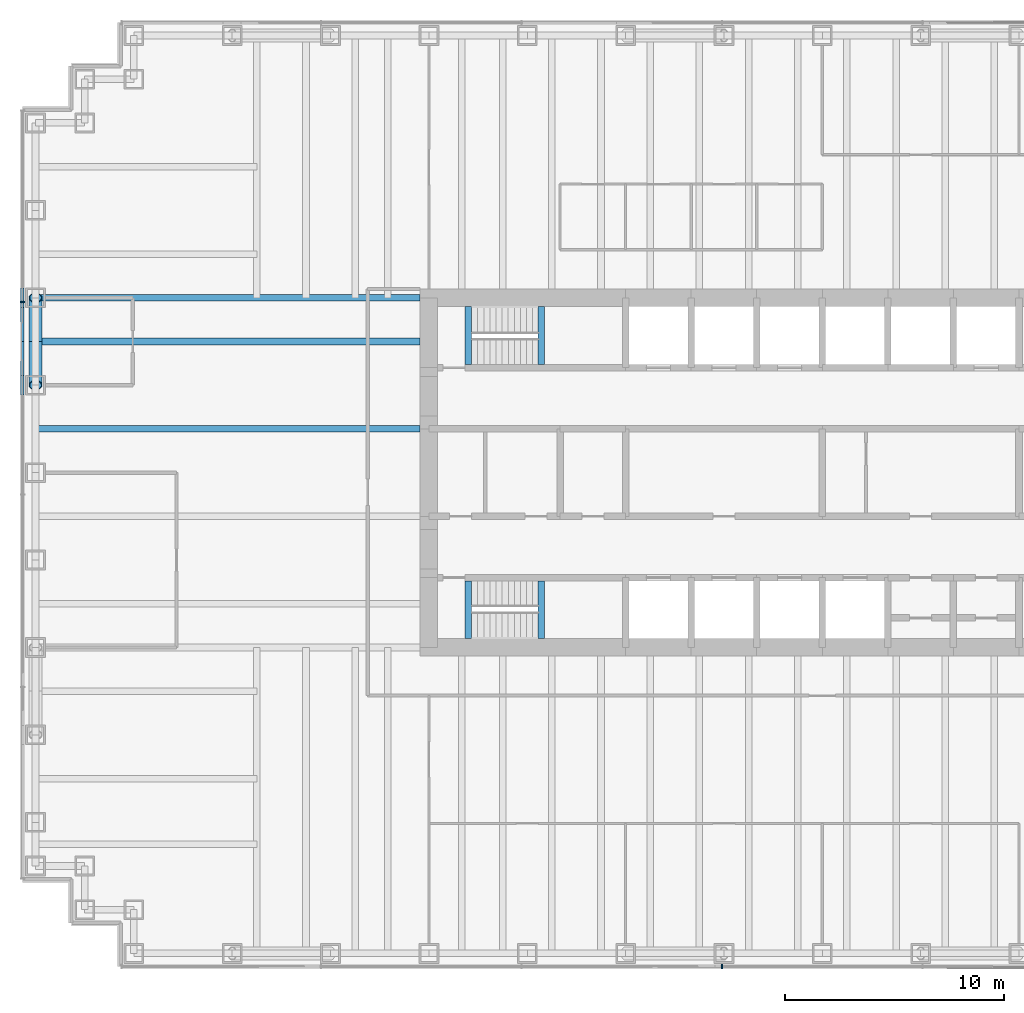
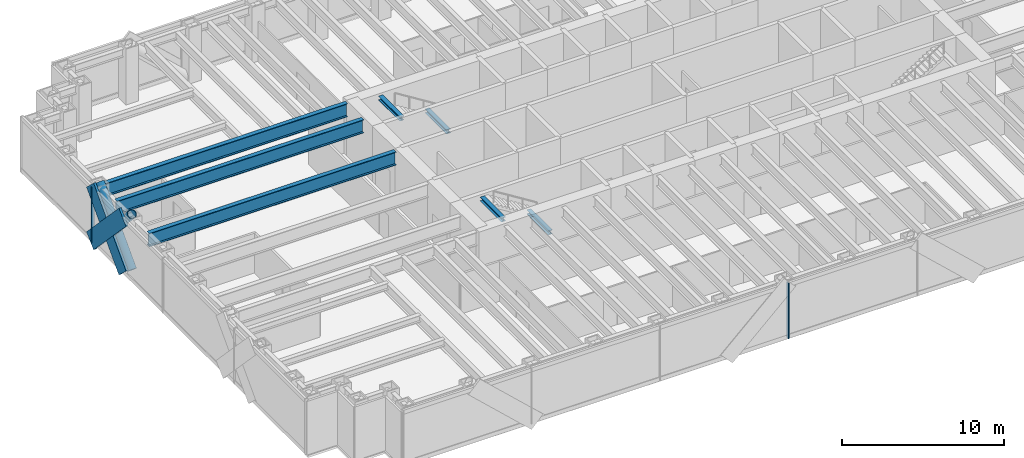
# One storey, part 3 of 19: 7 beams, 6 members, 2 elements without a shape of their own.
"""IFC4 building model written with IfcOpenShell, lengths in metres."""

from ifc_helpers import new_model, si_unit, direction, frame, origin, origin_2d, place, context, subcontext, project, spatial, rectangle, hollow_circle, i_section, extrude, material, material_profile, profile_set, type_object, element, aggregate, save


model = new_model("IFC4")

# Units and contexts
model_context = context("Model", 3, precision=1e-05, world=origin(), true_north=direction((0.0, 1.0)))
body_context = subcontext(model_context, "Body", "Model", "MODEL_VIEW")
ifc_project = project(units=[si_unit("LENGTHUNIT", "METRE"), si_unit("AREAUNIT", "SQUARE_METRE"), si_unit("VOLUMEUNIT", "CUBIC_METRE"), si_unit("PLANEANGLEUNIT", "RADIAN"), si_unit("MASSUNIT", "GRAM", prefix="KILO")], contexts=[model_context])

# Site, building, storey
site_placement = place(None, origin())
site = spatial("IfcSite", under=ifc_project, at=site_placement, CompositionType="ELEMENT")
building_placement = place(site_placement, origin())
building = spatial("IfcBuilding", under=site, at=building_placement, Name="Rheinbord Bourse Tower", CompositionType="ELEMENT")
storey_placement = place(building_placement, frame((0.0, 0.0, 206.800048828125)))
storey = spatial("IfcBuildingStorey", under=building, at=storey_placement, Name="L46", CompositionType="ELEMENT", Elevation=206.800048828125)

# Curtain wall, members
ifc_material_1 = material(Name="Dark glass and black aluminium", Category="aluminium")
curtain_wall_type = type_object("IfcCurtainWallType", Name="CW2 DARK GLASS CURTAIN WALL", PredefinedType="USERDEFINED", material=ifc_material_1)
curtain_wall_1_placement = place(storey_placement, origin())
curtain_wall_1 = element("IfcCurtainWall", 1, at=curtain_wall_1_placement, inside=storey, type_object=curtain_wall_type, Name="Curtain wall CW2 W L46", ObjectType="UNITISED CURTAIN WALL", PredefinedType="USERDEFINED")
ifc_material_2 = material(Name="Black anodised aluminium", Category="aluminium")
ifc_material_profile_1 = material_profile(ifc_material_2, rectangle(XDim=0.159912109375, YDim=1.2099609375, at=origin_2d()), Name="CW2 DIAGONAL MULLION 1210x160")
ifc_profile_set_1 = profile_set([ifc_material_profile_1], Name="Black anodised aluminium")
member_type_1 = type_object("IfcMemberType", Name="CW2 BLACK DIAGONAL MULLION", PredefinedType="USERDEFINED", material=ifc_profile_set_1)
member_1_placement = place(storey_placement, frame((-0.60009765625, 32.0, 0.0), z_axis=(0.0, -0.689659376744, 0.724133926887), x_axis=(1.0, 0.0, 0.0)))
member_1 = element("IfcMember", 2, at=member_1_placement, type_object=member_type_1, Name="CW2 diagonal mullion a", ObjectType="DIAGONAL MULLION", PredefinedType="USERDEFINED", context=body_context, shape_type="SweptSolid", body=[
    extrude(rectangle(XDim=0.159912109375, YDim=1.2099609375, at=origin_2d()), origin(), (0.0, 0.0, 1.0), 5.800048828125),
])
member_2_placement = place(storey_placement, frame((-0.60009765625, 28.0, 0.0), z_axis=(0.0, 0.689659376744, 0.724133926887), x_axis=(-1.0, 0.0, 0.0)))
member_2 = element("IfcMember", 3, at=member_2_placement, type_object=member_type_1, Name="CW2 diagonal mullion d", ObjectType="DIAGONAL MULLION", PredefinedType="USERDEFINED", context=body_context, shape_type="SweptSolid", body=[
    extrude(rectangle(XDim=0.159912109375, YDim=1.2099609375, at=origin_2d()), origin(), (0.0, 0.0, 1.0), 5.800048828125),
])

# Curtain wall, member
curtain_wall_2_placement = place(storey_placement, origin())
curtain_wall_2 = element("IfcCurtainWall", 4, at=curtain_wall_2_placement, inside=storey, type_object=curtain_wall_type, Name="Curtain wall CW2 S L46", ObjectType="UNITISED CURTAIN WALL", PredefinedType="USERDEFINED")
ifc_material_3 = material(Name="Black anodised aluminium", Category="aluminium")
ifc_material_profile_2 = material_profile(ifc_material_3, rectangle(XDim=0.219970703125, YDim=0.070068359375, at=origin_2d()), Name="CW2 MULLION 70x220")
ifc_profile_set_2 = profile_set([ifc_material_profile_2], Name="Black anodised aluminium")
member_type_2 = type_object("IfcMemberType", Name="CW2 BLACK MULLION", PredefinedType="MULLION", material=ifc_profile_set_2)
member_3_placement = place(storey_placement, frame((31.414306640625, 1.39990234375, 0.0), z_axis=(0.0, 0.0, 1.0), x_axis=(0.0, 1.0, 0.0)))
member_3 = element("IfcMember", 5, at=member_3_placement, type_object=member_type_2, Name="CW2 mullion 4", PredefinedType="MULLION", context=body_context, shape_type="SweptSolid", body=[
    extrude(rectangle(XDim=0.219970703125, YDim=0.070068359375, at=origin_2d()), origin(), (0.0, 0.0, 1.0), 4.199951171875),
])
aggregate(curtain_wall_2, [member_3])

# Member
member_4_placement = place(storey_placement, frame((-0.60009765625, 31.800048828125, 0.0), z_axis=(0.0, 0.0, 1.0), x_axis=(1.0, 0.0, 0.0)))
member_4 = element("IfcMember", 6, at=member_4_placement, type_object=member_type_2, Name="CW2 mullion 2", PredefinedType="MULLION", context=body_context, shape_type="SweptSolid", body=[
    extrude(rectangle(XDim=0.219970703125, YDim=0.070068359375, at=origin_2d()), origin(), (0.0, 0.0, 1.0), 4.199951171875),
])

aggregate(curtain_wall_1, [member_4, member_1, member_2])

# Beams
ifc_material_4 = material(Name="Steel S460", Category="steel")
ifc_material_profile_3 = material_profile(ifc_material_4, i_section(OverallWidth=0.302001953125, OverallDepth=1.008056640625, WebThickness=0.02099609375, FlangeThickness=0.0400390625, at=origin_2d()), Name="HEM 1000")
ifc_profile_set_3 = profile_set([ifc_material_profile_3], Name="Steel S460")
beam_type_1 = type_object("IfcBeamType", Name="END BEAM HEM 1000", PredefinedType="BEAM", material=ifc_profile_set_3)
for number, where, z_axis, x_axis, name in (
    (7, (0.0, 26.0, 3.535888671875), (1.0, 0.0, 0.0), (0.0, 1.0, 0.0), "End beam west 26 L47"),
    (8, (0.0, 30.0, 3.535888671875), (1.0, 0.0, 0.0), (0.0, 1.0, 0.0), "End beam west 30 L47"),
):
    element("IfcBeam", number, at=place(storey_placement, frame(where, z_axis=z_axis, x_axis=x_axis)), inside=storey, type_object=beam_type_1, Name=name, PredefinedType="BEAM", context=body_context, shape_type="SweptSolid", body=[
        extrude(i_section(OverallWidth=0.302001953125, OverallDepth=1.008056640625, WebThickness=0.02099609375, FlangeThickness=0.0400390625, at=origin_2d()), origin(), (0.0, 0.0, 1.0), 17.60009765625),
    ])
ifc_material_5 = material(Name="Steel S460", Category="steel")
ifc_material_profile_4 = material_profile(ifc_material_5, i_section(OverallWidth=0.302001953125, OverallDepth=1.008056640625, WebThickness=0.02099609375, FlangeThickness=0.0400390625, at=origin_2d()), Name="HEM 1000")
ifc_profile_set_4 = profile_set([ifc_material_profile_4], Name="Steel S460")
beam_type_2 = type_object("IfcBeamType", Name="GIRDER HEM 1000", PredefinedType="BEAM", material=ifc_profile_set_4)
beam_placement = place(storey_placement, frame((0.0, 32.0, 3.535888671875), z_axis=(1.0, 0.0, 0.0), x_axis=(0.0, 1.0, 0.0)))
element("IfcBeam", 9, at=beam_placement, inside=storey, type_object=beam_type_2, Name="Girder west 32 L47", PredefinedType="BEAM", context=body_context, shape_type="SweptSolid", body=[
    extrude(i_section(OverallWidth=0.302001953125, OverallDepth=1.008056640625, WebThickness=0.02099609375, FlangeThickness=0.0400390625, at=origin_2d()), origin(), (0.0, 0.0, 1.0), 17.60009765625),
])
ifc_material_6 = material(Name="Steel S460", Category="steel")
ifc_material_profile_5 = material_profile(ifc_material_6, i_section(OverallWidth=0.300048828125, OverallDepth=0.300048828125, WebThickness=0.010986328125, FlangeThickness=0.01904296875, at=origin_2d()), Name="HEB 300")
ifc_profile_set_5 = profile_set([ifc_material_profile_5], Name="Steel S460")
beam_type_3 = type_object("IfcBeamType", Name="LANDING TRIMMER HEB 300", PredefinedType="BEAM", material=ifc_profile_set_5)
for number, where, z_axis, x_axis, name in (
    (10, (23.1298828125, 16.39990234375, 1.75), (0.0, 1.0, 0.0), (-1.0, 0.0, 0.0), "Landing trimmer ST1 L46"),
    (11, (19.800048828125, 16.39990234375, 3.889892578125), (0.0, 1.0, 0.0), (-1.0, 0.0, 0.0), "Well trimmer ST1 under L47"),
    (12, (23.1298828125, 28.949951171875, 1.75), (0.0, 1.0, 0.0), (-1.0, 0.0, 0.0), "Landing trimmer ST2 L46"),
    (13, (19.800048828125, 28.949951171875, 3.889892578125), (0.0, 1.0, 0.0), (-1.0, 0.0, 0.0), "Well trimmer ST2 under L47"),
):
    element("IfcBeam", number, at=place(storey_placement, frame(where, z_axis=z_axis, x_axis=x_axis)), inside=storey, type_object=beam_type_3, Name=name, PredefinedType="BEAM", context=body_context, shape_type="SweptSolid", body=[
        extrude(i_section(OverallWidth=0.300048828125, OverallDepth=0.300048828125, WebThickness=0.010986328125, FlangeThickness=0.01904296875, at=origin_2d()), origin(), (0.0, 0.0, 1.0), 2.650146484375),
    ])

# Members
ifc_material_7 = material(Name="Steel S460", Category="steel")
ifc_material_profile_6 = material_profile(ifc_material_7, hollow_circle(Radius=0.304931640625, WallThickness=0.0400390625, at=origin_2d()), Name="CHS 610x40")
ifc_profile_set_6 = profile_set([ifc_material_profile_6], Name="Steel S460")
member_type_3 = type_object("IfcMemberType", Name="MEGABRACE CHS 610x40", PredefinedType="BRACE", material=ifc_profile_set_6)
for number, where, z_axis, x_axis, name in (
    (14, (0.0, 32.0, 0.0), (0.0, -0.689659376744, 0.724133926887), (1.0, 0.0, 0.0), "Megabrace W face line a L46"),
    (15, (0.0, 28.0, 0.0), (0.0, 0.689659376744, 0.724133926887), (-1.0, 0.0, 0.0), "Megabrace W face line d L46"),
):
    element("IfcMember", number, at=place(storey_placement, frame(where, z_axis=z_axis, x_axis=x_axis)), inside=storey, type_object=member_type_3, Name=name, PredefinedType="BRACE", context=body_context, shape_type="SweptSolid", body=[
        extrude(hollow_circle(Radius=0.304931640625, WallThickness=0.0400390625, at=origin_2d()), origin(), (0.0, 0.0, 1.0), 5.800048828125),
    ])

save(model, "model.ifc")
